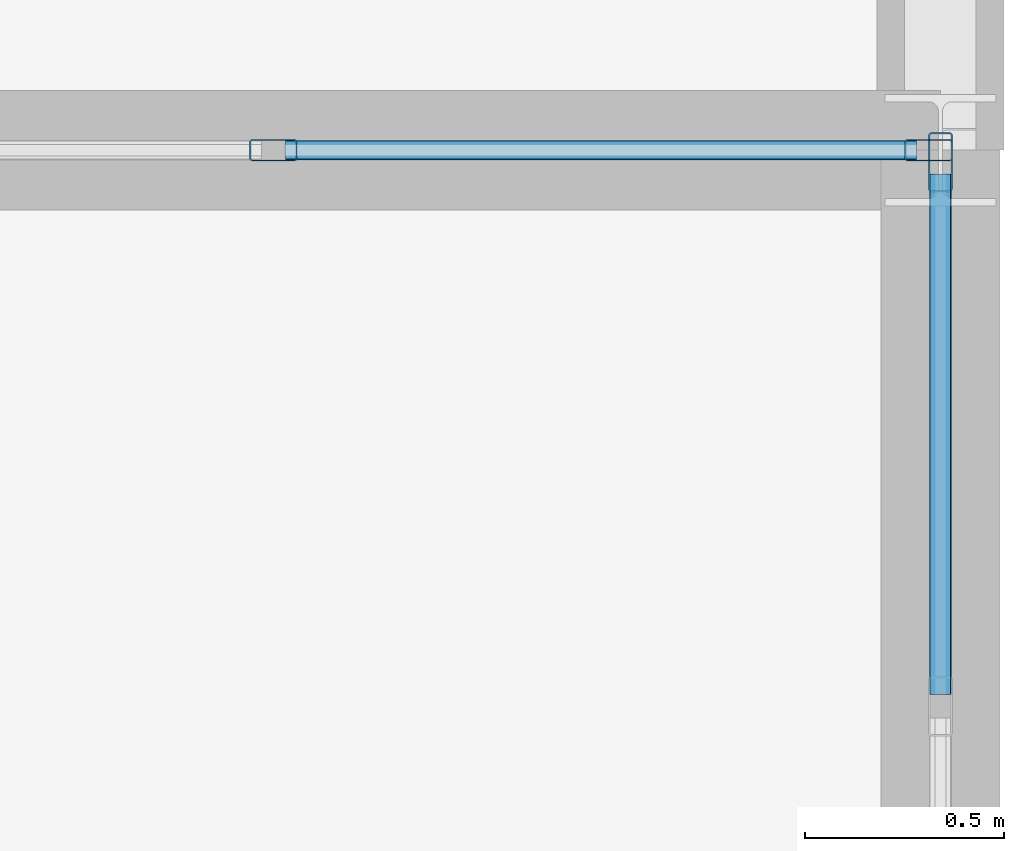
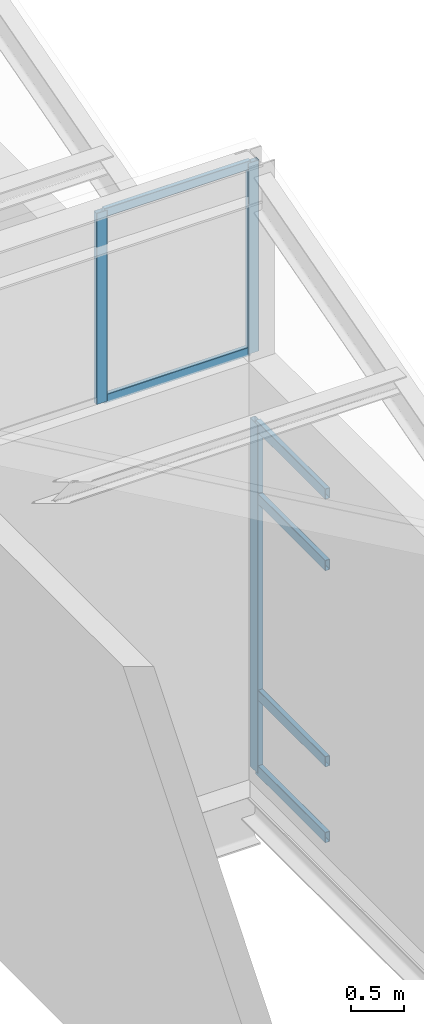
# One storey, part 36 of 53: 9 members, 2 elements without a shape of their own.
"""IFC4 building model written with IfcOpenShell, lengths in metres."""

from ifc_helpers import new_model, si_unit, direction, frame, origin, origin_2d, place, context, subcontext, project, spatial, hollow_rectangle, extrude, material, layer, layer_set, material_profile, profile_set, type_object, element, aggregate, save


model = new_model("IFC4")

# Units and contexts
model_context = context("Model", 3, precision=1e-05, world=origin(), true_north=direction((0.0, 1.0)))
body_context = subcontext(model_context, "Body", "Model", "MODEL_VIEW")
ifc_project = project(units=[si_unit("LENGTHUNIT", "METRE"), si_unit("AREAUNIT", "SQUARE_METRE"), si_unit("VOLUMEUNIT", "CUBIC_METRE"), si_unit("PLANEANGLEUNIT", "RADIAN"), si_unit("MASSUNIT", "GRAM", prefix="KILO")], contexts=[model_context])

# Site, building, storey
site_placement = place(None, origin())
site = spatial("IfcSite", under=ifc_project, at=site_placement, CompositionType="ELEMENT")
building_placement = place(site_placement, origin())
building = spatial("IfcBuilding", under=site, at=building_placement, Name="Qalvenar Corner Mobility Hub", CompositionType="ELEMENT")
storey_placement = place(building_placement, frame((0.0, 0.0, 26.39990234375)))
storey = spatial("IfcBuildingStorey", under=building, at=storey_placement, Name="L06", CompositionType="ELEMENT", Elevation=26.39990234375)

# Curtain wall, members
ifc_material_1 = material(Name="Anodised Aluminium and Low-E Glazing", Category="aluminium")
ifc_layer_1 = layer(ifc_material_1, 0.1201171875)
ifc_layer_set_1 = layer_set([ifc_layer_1], Name="Anodised Aluminium and Low-E Glazing")
curtain_wall_type_1 = type_object("IfcCurtainWallType", Name="CW-CLR-84X24", PredefinedType="NOTDEFINED", material=ifc_layer_set_1)
curtain_wall_1_placement = place(storey_placement, origin())
curtain_wall_1 = element("IfcCurtainWall", 1, at=curtain_wall_1_placement, inside=storey, type_object=curtain_wall_type_1, Name="Glazed Curtain Wall CW-V3-SAW-2-4", PredefinedType="NOTDEFINED")
ifc_material_2 = material(Name="Anodised Aluminium 6063-T6", Category="aluminium")
ifc_material_profile_1 = material_profile(ifc_material_2, hollow_rectangle(XDim=0.054931640625, YDim=0.1201171875, WallThickness=0.00341796875, InnerFilletRadius=0.00341796875, OuterFilletRadius=0.007080078125, at=origin_2d()), Name="RHS120x55x3.5")
ifc_profile_set_1 = profile_set([ifc_material_profile_1], Name="Anodised Aluminium 6063-T6")
member_type_1 = type_object("IfcMemberType", Name="CW-MUL120", PredefinedType="MULLION", material=ifc_profile_set_1)
member_1_placement = place(storey_placement, frame((41.969970703125, 16.800048828125, 4.800048828125), z_axis=(0.0, 0.0, 1.0), x_axis=(0.0, -1.0, 0.0)))
member_1 = element("IfcMember", 2, at=member_1_placement, type_object=member_type_1, Name="CW-12 mullion 1", PredefinedType="MULLION", context=body_context, shape_type="SweptSolid", body=[
    extrude(hollow_rectangle(XDim=0.054931640625, YDim=0.1201171875, WallThickness=0.00341796875, InnerFilletRadius=0.00341796875, OuterFilletRadius=0.007080078125, at=origin_2d()), origin(), (0.0, 0.0, 1.0), 2.199951171875),
])
member_2_placement = place(storey_placement, frame((40.320068359375, 16.800048828125, 4.800048828125), z_axis=(0.0, 0.0, 1.0), x_axis=(0.0, -1.0, 0.0)))
member_2 = element("IfcMember", 3, at=member_2_placement, type_object=member_type_1, Name="CW-12 mullion 2", PredefinedType="MULLION", context=body_context, shape_type="SweptSolid", body=[
    extrude(hollow_rectangle(XDim=0.054931640625, YDim=0.1201171875, WallThickness=0.00341796875, InnerFilletRadius=0.00341796875, OuterFilletRadius=0.007080078125, at=origin_2d()), origin(), (0.0, 0.0, 1.0), 2.199951171875),
])

# Curtain wall, member
ifc_layer_2 = layer(ifc_material_1, 0.14990234375)
ifc_layer_set_2 = layer_set([ifc_layer_2], Name="Anodised Aluminium and Low-E Glazing")
curtain_wall_type_2 = type_object("IfcCurtainWallType", Name="CW-SPT-84X44", PredefinedType="NOTDEFINED", material=ifc_layer_set_2)
curtain_wall_2_placement = place(storey_placement, origin())
curtain_wall_2 = element("IfcCurtainWall", 4, at=curtain_wall_2_placement, inside=storey, type_object=curtain_wall_type_2, Name="Glazed Curtain Wall CW-V3-L06-E1", PredefinedType="NOTDEFINED")
ifc_material_profile_2 = material_profile(ifc_material_2, hollow_rectangle(XDim=0.06005859375, YDim=0.14990234375, WallThickness=0.00390625, InnerFilletRadius=0.00390625, OuterFilletRadius=0.008056640625, at=origin_2d()), Name="RHS150x60x4")
ifc_profile_set_2 = profile_set([ifc_material_profile_2], Name="Anodised Aluminium 6063-T6")
member_type_2 = type_object("IfcMemberType", Name="CW-MUL150", PredefinedType="MULLION", material=ifc_profile_set_2)
member_3_placement = place(storey_placement, frame((42.0, 16.77001953125, 0.0), z_axis=(0.0, 0.0, 1.0), x_axis=(-1.0, 0.0, 0.0)))
member_3 = element("IfcMember", 5, at=member_3_placement, type_object=member_type_2, Name="CW-06 mullion 7", PredefinedType="MULLION", context=body_context, shape_type="SweptSolid", body=[
    extrude(hollow_rectangle(XDim=0.06005859375, YDim=0.14990234375, WallThickness=0.00390625, InnerFilletRadius=0.00390625, OuterFilletRadius=0.008056640625, at=origin_2d()), origin(), (0.0, 0.0, 1.0), 4.010009765625),
])

# Member
ifc_material_profile_3 = material_profile(ifc_material_2, hollow_rectangle(XDim=0.050048828125, YDim=0.10009765625, WallThickness=0.0029296875, InnerFilletRadius=0.0029296875, OuterFilletRadius=0.006103515625, at=origin_2d()), Name="RHS100x50x3")
ifc_profile_set_3 = profile_set([ifc_material_profile_3], Name="Anodised Aluminium 6063-T6")
member_type_3 = type_object("IfcMemberType", Name="CW-TRN100", PredefinedType="USERDEFINED", material=ifc_profile_set_3)
member_4_placement = place(storey_placement, frame((41.93994140625, 16.800048828125, 4.82763671875), z_axis=(-1.0, 0.0, 0.0), x_axis=(0.0, -1.0, 0.0)))
member_4 = element("IfcMember", 6, at=member_4_placement, type_object=member_type_3, Name="CW-12 transom 1.1", ObjectType="TRANSOM", PredefinedType="USERDEFINED", context=body_context, shape_type="SweptSolid", body=[
    extrude(hollow_rectangle(XDim=0.050048828125, YDim=0.10009765625, WallThickness=0.0029296875, InnerFilletRadius=0.0029296875, OuterFilletRadius=0.006103515625, at=origin_2d()), origin(), (0.0, 0.0, 1.0), 1.58984375),
])

member_5_placement = place(storey_placement, frame((41.93994140625, 16.800048828125, 6.97265625), z_axis=(-1.0, 0.0, 0.0), x_axis=(0.0, -1.0, 0.0)))
member_5 = element("IfcMember", 7, at=member_5_placement, type_object=member_type_3, Name="CW-12 transom 1.2", ObjectType="TRANSOM", PredefinedType="USERDEFINED", context=body_context, shape_type="SweptSolid", body=[
    extrude(hollow_rectangle(XDim=0.050048828125, YDim=0.10009765625, WallThickness=0.0029296875, InnerFilletRadius=0.0029296875, OuterFilletRadius=0.006103515625, at=origin_2d()), origin(), (0.0, 0.0, 1.0), 1.58984375),
])

aggregate(curtain_wall_1, [member_1, member_2, member_4, member_5])

ifc_material_profile_4 = material_profile(ifc_material_2, hollow_rectangle(XDim=0.054931640625, YDim=0.1201171875, WallThickness=0.00341796875, InnerFilletRadius=0.00341796875, OuterFilletRadius=0.007080078125, at=origin_2d()), Name="RHS120x55x3.5")
ifc_profile_set_4 = profile_set([ifc_material_profile_4], Name="Anodised Aluminium 6063-T6")
member_type_4 = type_object("IfcMemberType", Name="CW-TRN120", PredefinedType="USERDEFINED", material=ifc_profile_set_4)
member_6_placement = place(storey_placement, frame((42.0, 15.429931640625, 0.027587890625), z_axis=(0.0, 1.0, 0.0), x_axis=(-1.0, 0.0, 0.0)))
member_6 = element("IfcMember", 8, at=member_6_placement, type_object=member_type_4, Name="CW-06 transom 6.1", ObjectType="TRANSOM", PredefinedType="USERDEFINED", context=body_context, shape_type="SweptSolid", body=[
    extrude(hollow_rectangle(XDim=0.054931640625, YDim=0.1201171875, WallThickness=0.00341796875, InnerFilletRadius=0.00341796875, OuterFilletRadius=0.007080078125, at=origin_2d()), origin(), (0.0, 0.0, 1.0), 1.31005859375),
])

member_7_placement = place(storey_placement, frame((42.0, 15.429931640625, 0.900146484375), z_axis=(0.0, 1.0, 0.0), x_axis=(-1.0, 0.0, 0.0)))
member_7 = element("IfcMember", 9, at=member_7_placement, type_object=member_type_4, Name="CW-06 transom 6.2", ObjectType="TRANSOM", PredefinedType="USERDEFINED", context=body_context, shape_type="SweptSolid", body=[
    extrude(hollow_rectangle(XDim=0.054931640625, YDim=0.1201171875, WallThickness=0.00341796875, InnerFilletRadius=0.00341796875, OuterFilletRadius=0.007080078125, at=origin_2d()), origin(), (0.0, 0.0, 1.0), 1.31005859375),
])

member_8_placement = place(storey_placement, frame((42.0, 15.429931640625, 3.16015625), z_axis=(0.0, 1.0, 0.0), x_axis=(-1.0, 0.0, 0.0)))
member_8 = element("IfcMember", 10, at=member_8_placement, type_object=member_type_4, Name="CW-06 transom 6.3", ObjectType="TRANSOM", PredefinedType="USERDEFINED", context=body_context, shape_type="SweptSolid", body=[
    extrude(hollow_rectangle(XDim=0.054931640625, YDim=0.1201171875, WallThickness=0.00341796875, InnerFilletRadius=0.00341796875, OuterFilletRadius=0.007080078125, at=origin_2d()), origin(), (0.0, 0.0, 1.0), 1.31005859375),
])

member_9_placement = place(storey_placement, frame((42.0, 15.429931640625, 3.982666015625), z_axis=(0.0, 1.0, 0.0), x_axis=(-1.0, 0.0, 0.0)))
member_9 = element("IfcMember", 11, at=member_9_placement, type_object=member_type_4, Name="CW-06 transom 6.4", ObjectType="TRANSOM", PredefinedType="USERDEFINED", context=body_context, shape_type="SweptSolid", body=[
    extrude(hollow_rectangle(XDim=0.054931640625, YDim=0.1201171875, WallThickness=0.00341796875, InnerFilletRadius=0.00341796875, OuterFilletRadius=0.007080078125, at=origin_2d()), origin(), (0.0, 0.0, 1.0), 1.31005859375),
])

aggregate(curtain_wall_2, [member_3, member_6, member_7, member_8, member_9])

save(model, "model.ifc")
